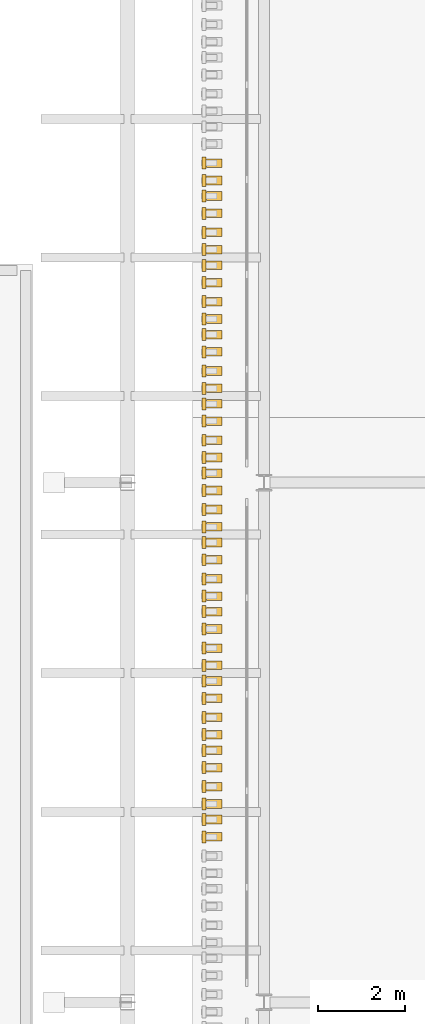
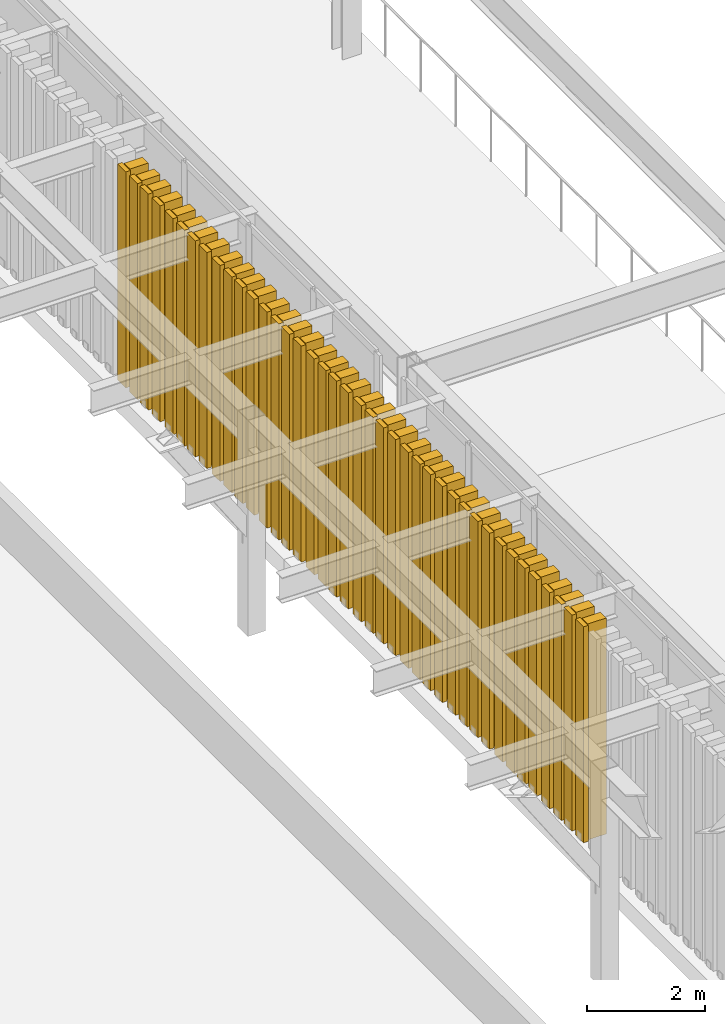
# One storey, part 119 of 126: 40 coverings, 40 shading devices.
"""IFC4 building model written with IfcOpenShell, lengths in metres."""

from ifc_helpers import new_model, si_unit, derived_unit, direction, frame, origin, origin_2d, place, context, subcontext, project, spatial, rectangle, extrude, material, layer, layer_set, material_profile, profile_set, type_object, element, save


model = new_model("IFC4")

# Units and contexts
model_context = context("Model", 3, precision=1e-05, world=origin(), true_north=direction((0.0, 1.0)))
body_context = subcontext(model_context, "Body", "Model", "MODEL_VIEW")
ifc_project = project(units=[si_unit("LENGTHUNIT", "METRE"), si_unit("AREAUNIT", "SQUARE_METRE"), si_unit("VOLUMEUNIT", "CUBIC_METRE"), si_unit("PLANEANGLEUNIT", "RADIAN"), si_unit("MASSUNIT", "GRAM", prefix="KILO"), derived_unit("THERMALTRANSMITTANCEUNIT", [(si_unit("MASSUNIT", "GRAM", prefix="KILO"), 1), (si_unit("TIMEUNIT", "SECOND"), -3), (si_unit("THERMODYNAMICTEMPERATUREUNIT", "KELVIN"), -1)])], contexts=[model_context])

# Site, building, storey
site_placement = place(None, origin())
site = spatial("IfcSite", under=ifc_project, at=site_placement, CompositionType="ELEMENT")
building_placement = place(site_placement, origin())
building = spatial("IfcBuilding", under=site, at=building_placement, Name="Valcora Ridge Arena", CompositionType="ELEMENT")
storey_placement = place(building_placement, frame((0.0, 0.0, 11.39990234375)))
storey = spatial("IfcBuildingStorey", under=building, at=storey_placement, Name="L02", CompositionType="ELEMENT", Elevation=11.39990234375)

# Coverings
ifc_material = material(Name="Anodised terracotta-bronze aluminium lancet batten 6063-T6", Category="masonry")
ifc_layer = layer(ifc_material, 0.199951171875, Name="Anodised terracotta-bronze aluminium lancet batten 6063-T6")
ifc_layer_set = layer_set([ifc_layer], Name="Anodised terracotta-bronze aluminium lancet batten 6063-T6")
covering_type = type_object("IfcCoveringType", Name="TY-COVERING-BAT-LANCET-448", PredefinedType="CLADDING", material=ifc_layer_set)
for number, where, z_axis, x_axis, name in (
    (1, (136.050048828125, 31.820068359375, 0.0), (0.0, 0.0, 1.0), (1.0, 0.0, 0.0), "BAT-LANCET-448 COV-BT-0133"),
    (2, (136.050048828125, 32.219970703125, 0.0), (0.0, 0.0, 1.0), (1.0, 0.0, 0.0), "BAT-LANCET-448 COV-BT-0135"),
    (3, (136.050048828125, 32.580078125, 0.0), (0.0, 0.0, 1.0), (1.0, 0.0, 0.0), "BAT-LANCET-448 COV-BT-0137"),
    (4, (136.050048828125, 32.97998046875, 0.0), (0.0, 0.0, 1.0), (1.0, 0.0, 0.0), "BAT-LANCET-448 COV-BT-0139"),
    (5, (136.050048828125, 33.419921875, 0.0), (0.0, 0.0, 1.0), (1.0, 0.0, 0.0), "BAT-LANCET-448 COV-BT-0141"),
    (6, (136.050048828125, 33.820068359375, 0.0), (0.0, 0.0, 1.0), (1.0, 0.0, 0.0), "BAT-LANCET-448 COV-BT-0143"),
    (7, (136.050048828125, 34.179931640625, 0.0), (0.0, 0.0, 1.0), (1.0, 0.0, 0.0), "BAT-LANCET-448 COV-BT-0145"),
    (8, (136.050048828125, 34.580078125, 0.0), (0.0, 0.0, 1.0), (1.0, 0.0, 0.0), "BAT-LANCET-448 COV-BT-0147"),
    (9, (136.050048828125, 35.02001953125, 0.0), (0.0, 0.0, 1.0), (1.0, 0.0, 0.0), "BAT-LANCET-448 COV-BT-0149"),
    (10, (136.050048828125, 35.419921875, 0.0), (0.0, 0.0, 1.0), (1.0, 0.0, 0.0), "BAT-LANCET-448 COV-BT-0151"),
    (11, (136.050048828125, 35.780029296875, 0.0), (0.0, 0.0, 1.0), (1.0, 0.0, 0.0), "BAT-LANCET-448 COV-BT-0153"),
    (12, (136.050048828125, 36.179931640625, 0.0), (0.0, 0.0, 1.0), (1.0, 0.0, 0.0), "BAT-LANCET-448 COV-BT-0155"),
    (13, (136.050048828125, 36.6201171875, 0.0), (0.0, 0.0, 1.0), (1.0, 0.0, 0.0), "BAT-LANCET-448 COV-BT-0157"),
    (14, (136.050048828125, 37.02001953125, 0.0), (0.0, 0.0, 1.0), (1.0, 0.0, 0.0), "BAT-LANCET-448 COV-BT-0159"),
    (15, (136.050048828125, 37.3798828125, 0.0), (0.0, 0.0, 1.0), (1.0, 0.0, 0.0), "BAT-LANCET-448 COV-BT-0161"),
    (16, (136.050048828125, 37.780029296875, 0.0), (0.0, 0.0, 1.0), (1.0, 0.0, 0.0), "BAT-LANCET-448 COV-BT-0163"),
    (17, (136.050048828125, 38.219970703125, 0.0), (0.0, 0.0, 1.0), (1.0, 0.0, 0.0), "BAT-LANCET-448 COV-BT-0165"),
    (18, (136.050048828125, 38.6201171875, 0.0), (0.0, 0.0, 1.0), (1.0, 0.0, 0.0), "BAT-LANCET-448 COV-BT-0167"),
    (19, (136.050048828125, 38.97998046875, 0.0), (0.0, 0.0, 1.0), (1.0, 0.0, 0.0), "BAT-LANCET-448 COV-BT-0169"),
    (20, (136.050048828125, 39.3798828125, 0.0), (0.0, 0.0, 1.0), (1.0, 0.0, 0.0), "BAT-LANCET-448 COV-BT-0171"),
    (21, (136.050048828125, 39.820068359375, 0.0), (0.0, 0.0, 1.0), (1.0, 0.0, 0.0), "BAT-LANCET-448 COV-BT-0173"),
    (22, (136.050048828125, 40.219970703125, 0.0), (0.0, 0.0, 1.0), (1.0, 0.0, 0.0), "BAT-LANCET-448 COV-BT-0175"),
    (23, (136.050048828125, 40.580078125, 0.0), (0.0, 0.0, 1.0), (1.0, 0.0, 0.0), "BAT-LANCET-448 COV-BT-0177"),
    (24, (136.050048828125, 40.97998046875, 0.0), (0.0, 0.0, 1.0), (1.0, 0.0, 0.0), "BAT-LANCET-448 COV-BT-0179"),
    (25, (136.050048828125, 41.419921875, 0.0), (0.0, 0.0, 1.0), (1.0, 0.0, 0.0), "BAT-LANCET-448 COV-BT-0181"),
    (26, (136.050048828125, 41.820068359375, 0.0), (0.0, 0.0, 1.0), (1.0, 0.0, 0.0), "BAT-LANCET-448 COV-BT-0183"),
    (27, (136.050048828125, 42.179931640625, 0.0), (0.0, 0.0, 1.0), (1.0, 0.0, 0.0), "BAT-LANCET-448 COV-BT-0185"),
    (28, (136.050048828125, 42.580078125, 0.0), (0.0, 0.0, 1.0), (1.0, 0.0, 0.0), "BAT-LANCET-448 COV-BT-0187"),
    (29, (136.050048828125, 43.02001953125, 0.0), (0.0, 0.0, 1.0), (1.0, 0.0, 0.0), "BAT-LANCET-448 COV-BT-0189"),
    (30, (136.050048828125, 43.419921875, 0.0), (0.0, 0.0, 1.0), (1.0, 0.0, 0.0), "BAT-LANCET-448 COV-BT-0191"),
    (31, (136.050048828125, 43.780029296875, 0.0), (0.0, 0.0, 1.0), (1.0, 0.0, 0.0), "BAT-LANCET-448 COV-BT-0193"),
    (32, (136.050048828125, 44.179931640625, 0.0), (0.0, 0.0, 1.0), (1.0, 0.0, 0.0), "BAT-LANCET-448 COV-BT-0195"),
    (33, (136.050048828125, 44.6201171875, 0.0), (0.0, 0.0, 1.0), (1.0, 0.0, 0.0), "BAT-LANCET-448 COV-BT-0197"),
    (34, (136.050048828125, 45.02001953125, 0.0), (0.0, 0.0, 1.0), (1.0, 0.0, 0.0), "BAT-LANCET-448 COV-BT-0199"),
    (35, (136.050048828125, 45.3798828125, 0.0), (0.0, 0.0, 1.0), (1.0, 0.0, 0.0), "BAT-LANCET-448 COV-BT-0201"),
    (36, (136.050048828125, 45.780029296875, 0.0), (0.0, 0.0, 1.0), (1.0, 0.0, 0.0), "BAT-LANCET-448 COV-BT-0203"),
    (37, (136.050048828125, 46.219970703125, 0.0), (0.0, 0.0, 1.0), (1.0, 0.0, 0.0), "BAT-LANCET-448 COV-BT-0205"),
    (38, (136.050048828125, 46.6201171875, 0.0), (0.0, 0.0, 1.0), (1.0, 0.0, 0.0), "BAT-LANCET-448 COV-BT-0207"),
    (39, (136.050048828125, 46.97998046875, 0.0), (0.0, 0.0, 1.0), (1.0, 0.0, 0.0), "BAT-LANCET-448 COV-BT-0209"),
    (40, (136.050048828125, 47.3798828125, 0.0), (0.0, 0.0, 1.0), (1.0, 0.0, 0.0), "BAT-LANCET-448 COV-BT-0211"),
):
    element("IfcCovering", number, at=place(storey_placement, frame(where, z_axis=z_axis, x_axis=x_axis)), inside=storey, type_object=covering_type, Name=name, PredefinedType="CLADDING", context=body_context, shape_type="SweptSolid", body=[
        extrude(rectangle(XDim=0.360107421875, YDim=0.199951171875, at=origin_2d()), origin(), (0.0, 0.0, 1.0), 4.47998046875),
    ])

# Shading devices
ifc_material_profile = material_profile(ifc_material, rectangle(XDim=0.090087890625, YDim=0.27587890625, at=origin_2d()), Name="ALU LANCET BATTEN 90x276")
ifc_profile_set = profile_set([ifc_material_profile], Name="Anodised terracotta-bronze aluminium lancet batten 6063-T6")
shading_device_type = type_object("IfcShadingDeviceType", Name="TY-SHADINGDEVICE-FIN-LANCET-448", PredefinedType="JALOUSIE", material=ifc_profile_set)
for number, where, z_axis, x_axis, name in (
    (41, (135.81005859375, 31.820068359375, 0.0), (0.0, 0.0, 1.0), (1.0, 0.0, 0.0), "FIN-LANCET-448 SHD-FN-0133"),
    (42, (135.81005859375, 32.219970703125, 0.0), (0.0, 0.0, 1.0), (1.0, 0.0, 0.0), "FIN-LANCET-448 SHD-FN-0135"),
    (43, (135.81005859375, 32.580078125, 0.0), (0.0, 0.0, 1.0), (1.0, 0.0, 0.0), "FIN-LANCET-448 SHD-FN-0137"),
    (44, (135.81005859375, 32.97998046875, 0.0), (0.0, 0.0, 1.0), (1.0, 0.0, 0.0), "FIN-LANCET-448 SHD-FN-0139"),
    (45, (135.81005859375, 33.419921875, 0.0), (0.0, 0.0, 1.0), (1.0, 0.0, 0.0), "FIN-LANCET-448 SHD-FN-0141"),
    (46, (135.81005859375, 33.820068359375, 0.0), (0.0, 0.0, 1.0), (1.0, 0.0, 0.0), "FIN-LANCET-448 SHD-FN-0143"),
    (47, (135.81005859375, 34.179931640625, 0.0), (0.0, 0.0, 1.0), (1.0, 0.0, 0.0), "FIN-LANCET-448 SHD-FN-0145"),
    (48, (135.81005859375, 34.580078125, 0.0), (0.0, 0.0, 1.0), (1.0, 0.0, 0.0), "FIN-LANCET-448 SHD-FN-0147"),
    (49, (135.81005859375, 35.02001953125, 0.0), (0.0, 0.0, 1.0), (1.0, 0.0, 0.0), "FIN-LANCET-448 SHD-FN-0149"),
    (50, (135.81005859375, 35.419921875, 0.0), (0.0, 0.0, 1.0), (1.0, 0.0, 0.0), "FIN-LANCET-448 SHD-FN-0151"),
    (51, (135.81005859375, 35.780029296875, 0.0), (0.0, 0.0, 1.0), (1.0, 0.0, 0.0), "FIN-LANCET-448 SHD-FN-0153"),
    (52, (135.81005859375, 36.179931640625, 0.0), (0.0, 0.0, 1.0), (1.0, 0.0, 0.0), "FIN-LANCET-448 SHD-FN-0155"),
    (53, (135.81005859375, 36.6201171875, 0.0), (0.0, 0.0, 1.0), (1.0, 0.0, 0.0), "FIN-LANCET-448 SHD-FN-0157"),
    (54, (135.81005859375, 37.02001953125, 0.0), (0.0, 0.0, 1.0), (1.0, 0.0, 0.0), "FIN-LANCET-448 SHD-FN-0159"),
    (55, (135.81005859375, 37.3798828125, 0.0), (0.0, 0.0, 1.0), (1.0, 0.0, 0.0), "FIN-LANCET-448 SHD-FN-0161"),
    (56, (135.81005859375, 37.780029296875, 0.0), (0.0, 0.0, 1.0), (1.0, 0.0, 0.0), "FIN-LANCET-448 SHD-FN-0163"),
    (57, (135.81005859375, 38.219970703125, 0.0), (0.0, 0.0, 1.0), (1.0, 0.0, 0.0), "FIN-LANCET-448 SHD-FN-0165"),
    (58, (135.81005859375, 38.6201171875, 0.0), (0.0, 0.0, 1.0), (1.0, 0.0, 0.0), "FIN-LANCET-448 SHD-FN-0167"),
    (59, (135.81005859375, 38.97998046875, 0.0), (0.0, 0.0, 1.0), (1.0, 0.0, 0.0), "FIN-LANCET-448 SHD-FN-0169"),
    (60, (135.81005859375, 39.3798828125, 0.0), (0.0, 0.0, 1.0), (1.0, 0.0, 0.0), "FIN-LANCET-448 SHD-FN-0171"),
    (61, (135.81005859375, 39.820068359375, 0.0), (0.0, 0.0, 1.0), (1.0, 0.0, 0.0), "FIN-LANCET-448 SHD-FN-0173"),
    (62, (135.81005859375, 40.219970703125, 0.0), (0.0, 0.0, 1.0), (1.0, 0.0, 0.0), "FIN-LANCET-448 SHD-FN-0175"),
    (63, (135.81005859375, 40.580078125, 0.0), (0.0, 0.0, 1.0), (1.0, 0.0, 0.0), "FIN-LANCET-448 SHD-FN-0177"),
    (64, (135.81005859375, 40.97998046875, 0.0), (0.0, 0.0, 1.0), (1.0, 0.0, 0.0), "FIN-LANCET-448 SHD-FN-0179"),
    (65, (135.81005859375, 41.419921875, 0.0), (0.0, 0.0, 1.0), (1.0, 0.0, 0.0), "FIN-LANCET-448 SHD-FN-0181"),
    (66, (135.81005859375, 41.820068359375, 0.0), (0.0, 0.0, 1.0), (1.0, 0.0, 0.0), "FIN-LANCET-448 SHD-FN-0183"),
    (67, (135.81005859375, 42.179931640625, 0.0), (0.0, 0.0, 1.0), (1.0, 0.0, 0.0), "FIN-LANCET-448 SHD-FN-0185"),
    (68, (135.81005859375, 42.580078125, 0.0), (0.0, 0.0, 1.0), (1.0, 0.0, 0.0), "FIN-LANCET-448 SHD-FN-0187"),
    (69, (135.81005859375, 43.02001953125, 0.0), (0.0, 0.0, 1.0), (1.0, 0.0, 0.0), "FIN-LANCET-448 SHD-FN-0189"),
    (70, (135.81005859375, 43.419921875, 0.0), (0.0, 0.0, 1.0), (1.0, 0.0, 0.0), "FIN-LANCET-448 SHD-FN-0191"),
    (71, (135.81005859375, 43.780029296875, 0.0), (0.0, 0.0, 1.0), (1.0, 0.0, 0.0), "FIN-LANCET-448 SHD-FN-0193"),
    (72, (135.81005859375, 44.179931640625, 0.0), (0.0, 0.0, 1.0), (1.0, 0.0, 0.0), "FIN-LANCET-448 SHD-FN-0195"),
    (73, (135.81005859375, 44.6201171875, 0.0), (0.0, 0.0, 1.0), (1.0, 0.0, 0.0), "FIN-LANCET-448 SHD-FN-0197"),
    (74, (135.81005859375, 45.02001953125, 0.0), (0.0, 0.0, 1.0), (1.0, 0.0, 0.0), "FIN-LANCET-448 SHD-FN-0199"),
    (75, (135.81005859375, 45.3798828125, 0.0), (0.0, 0.0, 1.0), (1.0, 0.0, 0.0), "FIN-LANCET-448 SHD-FN-0201"),
    (76, (135.81005859375, 45.780029296875, 0.0), (0.0, 0.0, 1.0), (1.0, 0.0, 0.0), "FIN-LANCET-448 SHD-FN-0203"),
    (77, (135.81005859375, 46.219970703125, 0.0), (0.0, 0.0, 1.0), (1.0, 0.0, 0.0), "FIN-LANCET-448 SHD-FN-0205"),
    (78, (135.81005859375, 46.6201171875, 0.0), (0.0, 0.0, 1.0), (1.0, 0.0, 0.0), "FIN-LANCET-448 SHD-FN-0207"),
    (79, (135.81005859375, 46.97998046875, 0.0), (0.0, 0.0, 1.0), (1.0, 0.0, 0.0), "FIN-LANCET-448 SHD-FN-0209"),
    (80, (135.81005859375, 47.3798828125, 0.0), (0.0, 0.0, 1.0), (1.0, 0.0, 0.0), "FIN-LANCET-448 SHD-FN-0211"),
):
    element("IfcShadingDevice", number, at=place(storey_placement, frame(where, z_axis=z_axis, x_axis=x_axis)), inside=storey, type_object=shading_device_type, Name=name, PredefinedType="JALOUSIE", context=body_context, shape_type="SweptSolid", body=[
        extrude(rectangle(XDim=0.090087890625, YDim=0.27587890625, at=origin_2d()), origin(), (0.0, 0.0, 1.0), 4.47998046875),
    ])

save(model, "model.ifc")
